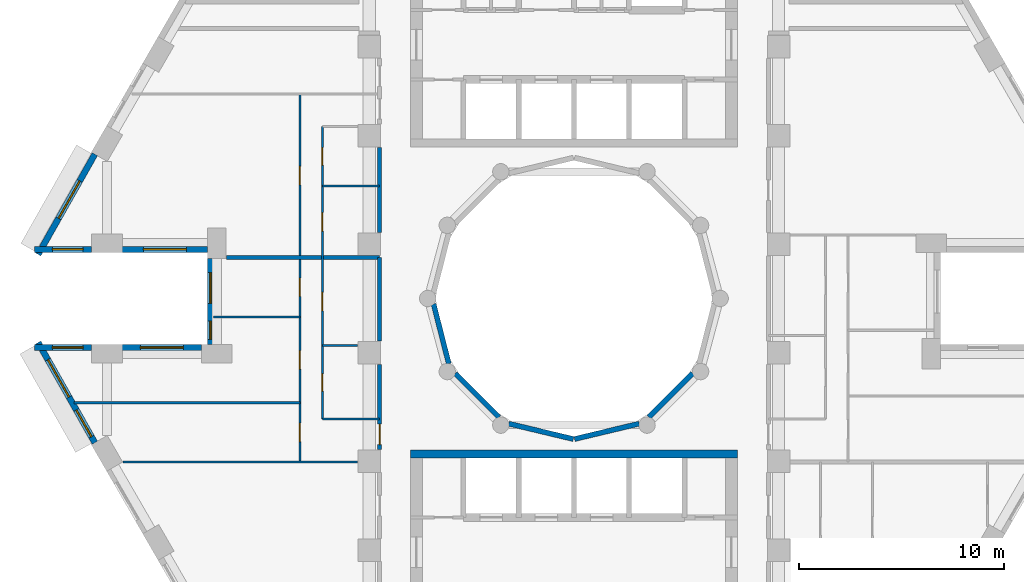
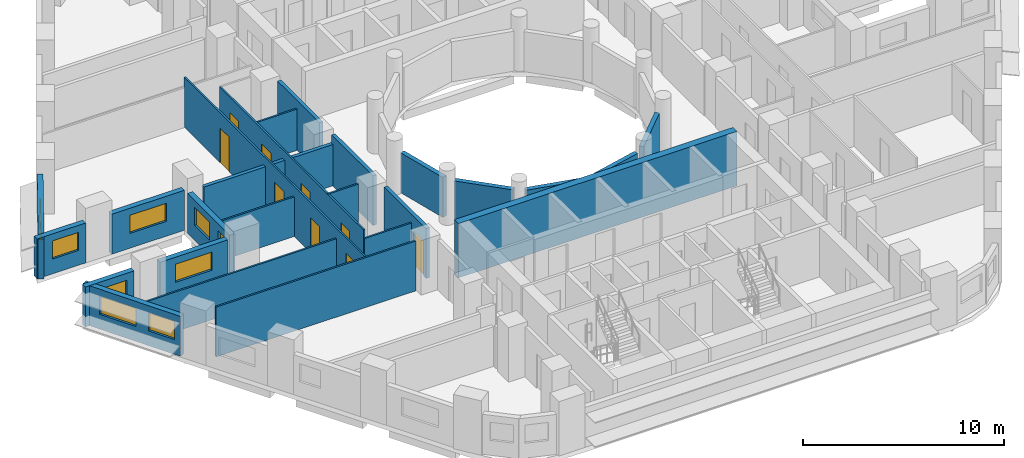
# One storey, part 4 of 12: 25 walls, 9 doors, 9 windows, 18 openings.
"""IFC4 building model written with IfcOpenShell, lengths in metres."""

from ifc_helpers import new_model, si_unit, direction, frame, frame_2d, origin, place, context, subcontext, project, spatial, rectangle, extrude, material, layer, layer_set, type_object, element, fill, save


model = new_model("IFC4")

# Units and contexts
model_context = context("Model", 3, precision=1e-05, world=origin(), true_north=direction((0.0, 1.0)))
body_context = subcontext(model_context, "Body", "Model", "MODEL_VIEW")
ifc_project = project(units=[si_unit("LENGTHUNIT", "METRE"), si_unit("AREAUNIT", "SQUARE_METRE"), si_unit("VOLUMEUNIT", "CUBIC_METRE"), si_unit("PLANEANGLEUNIT", "RADIAN"), si_unit("MASSUNIT", "GRAM", prefix="KILO")], contexts=[model_context])

# Site, building, storey
site_placement = place(None, origin())
site = spatial("IfcSite", under=ifc_project, at=site_placement, CompositionType="ELEMENT")
building_placement = place(site_placement, origin())
building = spatial("IfcBuilding", under=site, at=building_placement, Name="Nakaniwa Court", CompositionType="ELEMENT")
storey_placement = place(building_placement, frame((0.0, 0.0, 57.89990234375)))
storey = spatial("IfcBuildingStorey", under=building, at=storey_placement, Name="L15", CompositionType="ELEMENT", Elevation=57.89990234375)

# Wall, opening, door
ifc_material_1 = material(Name="Acoustic double stud partition")
ifc_layer_1 = layer(ifc_material_1, 0.199951171875)
ifc_layer_set_1 = layer_set([ifc_layer_1], Name="Acoustic double stud partition")
wall_type_1 = type_object("IfcWallType", Name="Acoustic double stud partition 200", PredefinedType="PARTITIONING", material=ifc_layer_set_1)
wall_1_placement = place(storey_placement, frame((70.5, 72.616943359375, 0.0), z_axis=(0.0, 0.0, 1.0), x_axis=(0.0, 1.0, 0.0)))
wall_1 = element("IfcWall", 1, at=wall_1_placement, inside=storey, type_object=wall_type_1, Name="Partition PW-104", PredefinedType="PARTITIONING", context=body_context, shape_type="SweptSolid", body=[
    extrude(rectangle(XDim=4.166015625, YDim=0.199951171875, at=frame_2d((2.0830078125, 0.0))), origin(), (0.0, 0.0, 1.0), 3.025146484375),
])
opening_1_placement = place(wall_1_placement, frame((0.242919921875, 0.0, 0.0)))
opening_1 = element("IfcOpeningElement", 2, at=opening_1_placement, cuts=wall_1, Name="Opening D-01-03", PredefinedType="OPENING", context=body_context, shape_type="SweptSolid", body=[
    extrude(rectangle(XDim=1.0, YDim=2.10009765625, at=frame_2d((0.5, 1.050048828125))), frame((0.0, 0.10986328125, 0.0), z_axis=(0.0, -1.0, 0.0), x_axis=(1.0, 0.0, 0.0)), (0.0, 0.0, 1.0), 0.219970703125),
])
ifc_material_2 = material(Name="Solid core timber door set, black veneer", Category="wood")
door_type_1 = type_object("IfcDoorType", Name="Flat entrance door 1000", OperationType="NOTDEFINED", PredefinedType="DOOR", material=ifc_material_2)
door_1_placement = place(opening_1_placement, origin())
door_1 = element("IfcDoor", 3, at=door_1_placement, inside=storey, type_object=door_type_1, Name="Door D-01-03 L15-042", OperationType="SINGLE_SWING_LEFT", OverallHeight=2.10009765625, OverallWidth=1.0, PredefinedType="DOOR", context=body_context, shape_type="SweptSolid", body=[
    extrude(rectangle(XDim=1.0, YDim=2.10009765625, at=frame_2d((0.5, 1.050048828125))), frame((0.0, 0.02490234375, 0.0), z_axis=(0.0, -1.0, 0.0), x_axis=(1.0, 0.0, 0.0)), (0.0, 0.0, 1.0), 0.050048828125),
])
fill(opening_1, door_1)

# Walls
wall_2_placement = place(storey_placement, frame((70.5, 77.9169921875, 0.0), z_axis=(0.0, 0.0, 1.0), x_axis=(0.0, 1.0, 0.0)))
element("IfcWall", 4, at=wall_2_placement, inside=storey, type_object=wall_type_1, Name="Partition PW-105", PredefinedType="PARTITIONING", context=body_context, shape_type="SweptSolid", body=[
    extrude(rectangle(XDim=4.0859375, YDim=0.199951171875, at=frame_2d((2.04296875, 0.0))), origin(), (0.0, 0.0, 1.0), 3.025146484375),
])
wall_3_placement = place(storey_placement, frame((70.5, 83.217041015625, 0.0), z_axis=(0.0, 0.0, 1.0), x_axis=(0.0, 1.0, 0.0)))
element("IfcWall", 5, at=wall_3_placement, inside=storey, type_object=wall_type_1, Name="Partition PW-106", PredefinedType="PARTITIONING", context=body_context, shape_type="SweptSolid", body=[
    extrude(rectangle(XDim=4.166015625, YDim=0.199951171875, at=frame_2d((2.0830078125, 0.0))), origin(), (0.0, 0.0, 1.0), 3.025146484375),
])
wall_4_placement = place(storey_placement, frame((63.01171875, 82.0, 0.0), z_axis=(0.0, 0.0, 1.0), x_axis=(1.0, 0.0, 0.0)))
element("IfcWall", 6, at=wall_4_placement, inside=storey, type_object=wall_type_1, Name="Partition PW-126", PredefinedType="PARTITIONING", context=body_context, shape_type="SweptSolid", body=[
    extrude(rectangle(XDim=7.48828125, YDim=0.199951171875, at=frame_2d((3.744140625, 0.0))), origin(), (0.0, 0.0, 1.0), 2.505126953125),
])

# Wall, opening, window
ifc_material_3 = material(Name="Charcoal ceramic cladding")
ifc_layer_2 = layer(ifc_material_3, 0.02, Name="Ceramic cladding")
ifc_material_4 = material(Name="Ventilated air cavity")
ifc_layer_3 = layer(ifc_material_4, 0.04, ventilated=True, Name="Ventilated cavity")
ifc_material_5 = material(Name="Mineral wool insulation")
ifc_layer_4 = layer(ifc_material_5, 0.1, Name="Insulation")
ifc_material_6 = material(Name="Cement bonded sheathing board")
ifc_layer_5 = layer(ifc_material_6, 0.012, Name="Sheathing")
ifc_material_7 = material(Name="Cold-formed galvanised stud frame with mineral wool infill")
ifc_layer_6 = layer(ifc_material_7, 0.1, Name="Stud frame")
ifc_material_8 = material(Name="Fire-rated gypsum plasterboard lining")
ifc_layer_7 = layer(ifc_material_8, 0.028, Name="Lining")
ifc_layer_set_2 = layer_set([ifc_layer_2, ifc_layer_3, ifc_layer_4, ifc_layer_5, ifc_layer_6, ifc_layer_7], Name="Charcoal ceramic faced external wall system")
wall_type_2 = type_object("IfcWallType", Name="Black ceramic faced external wall 300", PredefinedType="SOLIDWALL", material=ifc_layer_set_2)
wall_5_placement = place(storey_placement, frame((56.584228515625, 87.050537109375, 0.0), z_axis=(0.0, 0.0, 1.0), x_axis=(-0.492363204642, -0.870389840655, 0.0)))
wall_5 = element("IfcWall", 7, at=wall_5_placement, inside=storey, type_object=wall_type_2, Name="L15 external wall 14", PredefinedType="SOLIDWALL", context=body_context, shape_type="SweptSolid", body=[
    extrude(rectangle(XDim=5.62646484375, YDim=0.300048828125, at=frame_2d((2.813232421875, 0.0))), origin(), (0.0, 0.0, 1.0), 2.425048828125),
])
opening_2_placement = place(wall_5_placement, frame((1.5, 0.0, 0.89990234375)))
opening_2 = element("IfcOpeningElement", 8, at=opening_2_placement, cuts=wall_5, Name="Opening W7.13", PredefinedType="OPENING", context=body_context, shape_type="SweptSolid", body=[
    extrude(rectangle(XDim=2.10009765625, YDim=1.10009765625, at=frame_2d((1.050048828125, 0.550048828125))), frame((0.0, 0.159912109375, 0.0), z_axis=(0.0, -1.0, 0.0), x_axis=(1.0, 0.0, 0.0)), (0.0, 0.0, 1.0), 0.320068359375),
])
ifc_material_9 = material(Name="Black anodised aluminium frame with dark low-E laminated double glazing", Category="aluminium")
window_type_1 = type_object("IfcWindowType", Name="Dark glass window 2100x1100 sill 900", PartitioningType="SINGLE_PANEL", PredefinedType="WINDOW", material=ifc_material_9)
window_1_placement = place(opening_2_placement, origin())
window_1 = element("IfcWindow", 9, at=window_1_placement, inside=storey, type_object=window_type_1, Name="L15 living window 14-0", OverallHeight=1.10009765625, OverallWidth=2.10009765625, PartitioningType="SINGLE_PANEL", PredefinedType="WINDOW", context=body_context, shape_type="SweptSolid", body=[
    extrude(rectangle(XDim=2.10009765625, YDim=1.10009765625, at=frame_2d((1.050048828125, 0.550048828125))), frame((0.0, 0.030029296875, 0.0), z_axis=(0.0, -1.0, 0.0), x_axis=(1.0, 0.0, 0.0)), (0.0, 0.0, 1.0), 0.06005859375),
])
fill(opening_2, window_1)

wall_6_placement = place(storey_placement, frame((53.643310546875, 82.39990234375, 0.0), z_axis=(0.0, 0.0, 1.0), x_axis=(1.0, 0.0, 0.0)))
wall_6 = element("IfcWall", 10, at=wall_6_placement, inside=storey, type_object=wall_type_2, Name="L15 external wall 15", PredefinedType="SOLIDWALL", context=body_context, shape_type="SweptSolid", body=[
    extrude(rectangle(XDim=2.787841796875, YDim=0.300048828125, at=frame_2d((1.39404296875, 0.0))), origin(), (0.0, 0.0, 1.0), 2.425048828125),
])
opening_3_placement = place(wall_6_placement, frame((0.868896484375, 0.0, 0.89990234375)))
opening_3 = element("IfcOpeningElement", 11, at=opening_3_placement, cuts=wall_6, Name="Opening W5.14", PredefinedType="OPENING", context=body_context, shape_type="SweptSolid", body=[
    extrude(rectangle(XDim=1.5, YDim=1.10009765625, at=frame_2d((0.75, 0.550048828125))), frame((0.0, 0.159912109375, 0.0), z_axis=(0.0, -1.0, 0.0), x_axis=(1.0, 0.0, 0.0)), (0.0, 0.0, 1.0), 0.320068359375),
])
window_type_2 = type_object("IfcWindowType", Name="Dark glass window 1500x1100 sill 900", PartitioningType="SINGLE_PANEL", PredefinedType="WINDOW", material=ifc_material_9)
window_2_placement = place(opening_3_placement, origin())
window_2 = element("IfcWindow", 12, at=window_2_placement, inside=storey, type_object=window_type_2, Name="L15 living window 15-0", OverallHeight=1.10009765625, OverallWidth=1.5, PartitioningType="SINGLE_PANEL", PredefinedType="WINDOW", context=body_context, shape_type="SweptSolid", body=[
    extrude(rectangle(XDim=1.5, YDim=1.10009765625, at=frame_2d((0.75, 0.550048828125))), frame((0.0, 0.030029296875, 0.0), z_axis=(0.0, -1.0, 0.0), x_axis=(1.0, 0.0, 0.0)), (0.0, 0.0, 1.0), 0.06005859375),
])
fill(opening_3, window_2)

wall_7_placement = place(storey_placement, frame((57.923095703125, 82.39990234375, 0.0), z_axis=(0.0, 0.0, 1.0), x_axis=(1.0, 0.0, 0.0)))
wall_7 = element("IfcWall", 13, at=wall_7_placement, inside=storey, type_object=wall_type_2, Name="L15 external wall 16", PredefinedType="SOLIDWALL", context=body_context, shape_type="SweptSolid", body=[
    extrude(rectangle(XDim=4.172607421875, YDim=0.300048828125, at=frame_2d((2.08642578125, 0.0))), origin(), (0.0, 0.0, 1.0), 2.425048828125),
])
opening_4_placement = place(wall_7_placement, frame((1.036376953125, 0.0, 0.89990234375)))
opening_4 = element("IfcOpeningElement", 14, at=opening_4_placement, cuts=wall_7, Name="Opening W7.15", PredefinedType="OPENING", context=body_context, shape_type="SweptSolid", body=[
    extrude(rectangle(XDim=2.10009765625, YDim=1.10009765625, at=frame_2d((1.050048828125, 0.550048828125))), frame((0.0, 0.159912109375, 0.0), z_axis=(0.0, -1.0, 0.0), x_axis=(1.0, 0.0, 0.0)), (0.0, 0.0, 1.0), 0.320068359375),
])
window_3_placement = place(opening_4_placement, origin())
window_3 = element("IfcWindow", 15, at=window_3_placement, inside=storey, type_object=window_type_1, Name="L15 living window 16-0", OverallHeight=1.10009765625, OverallWidth=2.10009765625, PartitioningType="SINGLE_PANEL", PredefinedType="WINDOW", context=body_context, shape_type="SweptSolid", body=[
    extrude(rectangle(XDim=2.10009765625, YDim=1.10009765625, at=frame_2d((1.050048828125, 0.550048828125))), frame((0.0, 0.030029296875, 0.0), z_axis=(0.0, -1.0, 0.0), x_axis=(1.0, 0.0, 0.0)), (0.0, 0.0, 1.0), 0.06005859375),
])
fill(opening_4, window_3)

# Wall, openings, windows
wall_8_placement = place(storey_placement, frame((62.24169921875, 81.9541015625, 0.0), z_axis=(0.0, 0.0, 1.0), x_axis=(0.0, -1.0, 0.0)))
wall_8 = element("IfcWall", 16, at=wall_8_placement, inside=storey, type_object=wall_type_2, Name="L15 external wall 17", PredefinedType="SOLIDWALL", context=body_context, shape_type="SweptSolid", body=[
    extrude(rectangle(XDim=4.2080078125, YDim=0.300048828125, at=frame_2d((2.10400390625, 0.0))), origin(), (0.0, 0.0, 1.0), 2.425048828125),
])
opening_5_placement = place(wall_8_placement, frame((0.690673828125, 0.0, 0.89990234375)))
opening_5 = element("IfcOpeningElement", 17, at=opening_5_placement, cuts=wall_8, Name="Opening W5.16", PredefinedType="OPENING", context=body_context, shape_type="SweptSolid", body=[
    extrude(rectangle(XDim=1.5, YDim=1.10009765625, at=frame_2d((0.75, 0.550048828125))), frame((0.0, 0.159912109375, 0.0), z_axis=(0.0, -1.0, 0.0), x_axis=(1.0, 0.0, 0.0)), (0.0, 0.0, 1.0), 0.320068359375),
])
opening_6_placement = place(wall_8_placement, frame((3.0576171875, 0.0, 0.89990234375)))
opening_6 = element("IfcOpeningElement", 18, at=opening_6_placement, cuts=wall_8, Name="Opening W9.17", PredefinedType="OPENING", context=body_context, shape_type="SweptSolid", body=[
    extrude(rectangle(XDim=0.89990234375, YDim=1.10009765625, at=frame_2d((0.449951171875, 0.550048828125))), frame((0.0, 0.159912109375, 0.0), z_axis=(0.0, -1.0, 0.0), x_axis=(1.0, 0.0, 0.0)), (0.0, 0.0, 1.0), 0.320068359375),
])
window_4_placement = place(opening_5_placement, origin())
window_4 = element("IfcWindow", 19, at=window_4_placement, inside=storey, type_object=window_type_2, Name="L15 bedroom window 17-0", OverallHeight=1.10009765625, OverallWidth=1.5, PartitioningType="SINGLE_PANEL", PredefinedType="WINDOW", context=body_context, shape_type="SweptSolid", body=[
    extrude(rectangle(XDim=1.5, YDim=1.10009765625, at=frame_2d((0.75, 0.550048828125))), frame((0.0, 0.030029296875, 0.0), z_axis=(0.0, -1.0, 0.0), x_axis=(1.0, 0.0, 0.0)), (0.0, 0.0, 1.0), 0.06005859375),
])
fill(opening_5, window_4)
window_type_3 = type_object("IfcWindowType", Name="Dark glass window 900x1100 sill 900", PartitioningType="SINGLE_PANEL", PredefinedType="WINDOW", material=ifc_material_9)
window_5_placement = place(opening_6_placement, origin())
window_5 = element("IfcWindow", 20, at=window_5_placement, inside=storey, type_object=window_type_3, Name="L15 living window 17-1", OverallHeight=1.10009765625, OverallWidth=0.89990234375, PartitioningType="SINGLE_PANEL", PredefinedType="WINDOW", context=body_context, shape_type="SweptSolid", body=[
    extrude(rectangle(XDim=0.89990234375, YDim=1.10009765625, at=frame_2d((0.449951171875, 0.550048828125))), frame((0.0, 0.030029296875, 0.0), z_axis=(0.0, -1.0, 0.0), x_axis=(1.0, 0.0, 0.0)), (0.0, 0.0, 1.0), 0.06005859375),
])
fill(opening_6, window_5)

# Wall, opening, window
wall_9_placement = place(storey_placement, frame((61.795654296875, 77.60009765625, 0.0), z_axis=(0.0, 0.0, 1.0), x_axis=(-1.0, 0.0, 0.0)))
wall_9 = element("IfcWall", 21, at=wall_9_placement, inside=storey, type_object=wall_type_2, Name="L15 external wall 18", PredefinedType="SOLIDWALL", context=body_context, shape_type="SweptSolid", body=[
    extrude(rectangle(XDim=3.87255859375, YDim=0.300048828125, at=frame_2d((1.936279296875, 0.0))), origin(), (0.0, 0.0, 1.0), 2.425048828125),
])
opening_7_placement = place(wall_9_placement, frame((0.88623046875, 0.0, 0.89990234375)))
opening_7 = element("IfcOpeningElement", 22, at=opening_7_placement, cuts=wall_9, Name="Opening W7.18", PredefinedType="OPENING", context=body_context, shape_type="SweptSolid", body=[
    extrude(rectangle(XDim=2.10009765625, YDim=1.10009765625, at=frame_2d((1.050048828125, 0.550048828125))), frame((0.0, 0.159912109375, 0.0), z_axis=(0.0, -1.0, 0.0), x_axis=(1.0, 0.0, 0.0)), (0.0, 0.0, 1.0), 0.320068359375),
])
window_6_placement = place(opening_7_placement, origin())
window_6 = element("IfcWindow", 23, at=window_6_placement, inside=storey, type_object=window_type_1, Name="L15 living window 18-0", OverallHeight=1.10009765625, OverallWidth=2.10009765625, PartitioningType="SINGLE_PANEL", PredefinedType="WINDOW", context=body_context, shape_type="SweptSolid", body=[
    extrude(rectangle(XDim=2.10009765625, YDim=1.10009765625, at=frame_2d((1.050048828125, 0.550048828125))), frame((0.0, 0.030029296875, 0.0), z_axis=(0.0, -1.0, 0.0), x_axis=(1.0, 0.0, 0.0)), (0.0, 0.0, 1.0), 0.06005859375),
])
fill(opening_7, window_6)

wall_10_placement = place(storey_placement, frame((56.43115234375, 77.60009765625, 0.0), z_axis=(0.0, 0.0, 1.0), x_axis=(-1.0, 0.0, 0.0)))
wall_10 = element("IfcWall", 24, at=wall_10_placement, inside=storey, type_object=wall_type_2, Name="L15 external wall 19", PredefinedType="SOLIDWALL", context=body_context, shape_type="SweptSolid", body=[
    extrude(rectangle(XDim=2.787841796875, YDim=0.300048828125, at=frame_2d((1.39404296875, 0.0))), origin(), (0.0, 0.0, 1.0), 2.425048828125),
])
opening_8_placement = place(wall_10_placement, frame((0.4189453125, 0.0, 0.89990234375)))
opening_8 = element("IfcOpeningElement", 25, at=opening_8_placement, cuts=wall_10, Name="Opening W5.19", PredefinedType="OPENING", context=body_context, shape_type="SweptSolid", body=[
    extrude(rectangle(XDim=1.5, YDim=1.10009765625, at=frame_2d((0.75, 0.550048828125))), frame((0.0, 0.159912109375, 0.0), z_axis=(0.0, -1.0, 0.0), x_axis=(1.0, 0.0, 0.0)), (0.0, 0.0, 1.0), 0.320068359375),
])
window_7_placement = place(opening_8_placement, origin())
window_7 = element("IfcWindow", 26, at=window_7_placement, inside=storey, type_object=window_type_2, Name="L15 living window 19-0", OverallHeight=1.10009765625, OverallWidth=1.5, PartitioningType="SINGLE_PANEL", PredefinedType="WINDOW", context=body_context, shape_type="SweptSolid", body=[
    extrude(rectangle(XDim=1.5, YDim=1.10009765625, at=frame_2d((0.75, 0.550048828125))), frame((0.0, 0.030029296875, 0.0), z_axis=(0.0, -1.0, 0.0), x_axis=(1.0, 0.0, 0.0)), (0.0, 0.0, 1.0), 0.06005859375),
])
fill(opening_8, window_7)

# Wall, openings, windows
wall_11_placement = place(storey_placement, frame((53.81396484375, 77.8466796875, 0.0), z_axis=(0.0, 0.0, 1.0), x_axis=(0.492363204642, -0.870389840655, 0.0)))
wall_11 = element("IfcWall", 27, at=wall_11_placement, inside=storey, type_object=wall_type_2, Name="L15 external wall 20", PredefinedType="SOLIDWALL", context=body_context, shape_type="SweptSolid", body=[
    extrude(rectangle(XDim=5.62646484375, YDim=0.300048828125, at=frame_2d((2.813232421875, 0.0))), origin(), (0.0, 0.0, 1.0), 2.425048828125),
])
opening_9_placement = place(wall_11_placement, frame((0.96484375, 0.0, 0.89990234375)))
opening_9 = element("IfcOpeningElement", 28, at=opening_9_placement, cuts=wall_11, Name="Opening W7.20", PredefinedType="OPENING", context=body_context, shape_type="SweptSolid", body=[
    extrude(rectangle(XDim=2.10009765625, YDim=1.10009765625, at=frame_2d((1.050048828125, 0.550048828125))), frame((0.0, 0.159912109375, 0.0), z_axis=(0.0, -1.0, 0.0), x_axis=(1.0, 0.0, 0.0)), (0.0, 0.0, 1.0), 0.320068359375),
])
opening_10_placement = place(wall_11_placement, frame((3.789306640625, 0.0, 0.89990234375)))
opening_10 = element("IfcOpeningElement", 29, at=opening_10_placement, cuts=wall_11, Name="Opening W5.21", PredefinedType="OPENING", context=body_context, shape_type="SweptSolid", body=[
    extrude(rectangle(XDim=1.5, YDim=1.10009765625, at=frame_2d((0.75, 0.550048828125))), frame((0.0, 0.159912109375, 0.0), z_axis=(0.0, -1.0, 0.0), x_axis=(1.0, 0.0, 0.0)), (0.0, 0.0, 1.0), 0.320068359375),
])
window_8_placement = place(opening_10_placement, origin())
window_8 = element("IfcWindow", 30, at=window_8_placement, inside=storey, type_object=window_type_2, Name="L15 bedroom window 20-1", OverallHeight=1.10009765625, OverallWidth=1.5, PartitioningType="SINGLE_PANEL", PredefinedType="WINDOW", context=body_context, shape_type="SweptSolid", body=[
    extrude(rectangle(XDim=1.5, YDim=1.10009765625, at=frame_2d((0.75, 0.550048828125))), frame((0.0, 0.030029296875, 0.0), z_axis=(0.0, -1.0, 0.0), x_axis=(1.0, 0.0, 0.0)), (0.0, 0.0, 1.0), 0.06005859375),
])
fill(opening_10, window_8)
window_9_placement = place(opening_9_placement, origin())
window_9 = element("IfcWindow", 31, at=window_9_placement, inside=storey, type_object=window_type_1, Name="L15 living window 20-0", OverallHeight=1.10009765625, OverallWidth=2.10009765625, PartitioningType="SINGLE_PANEL", PredefinedType="WINDOW", context=body_context, shape_type="SweptSolid", body=[
    extrude(rectangle(XDim=2.10009765625, YDim=1.10009765625, at=frame_2d((1.050048828125, 0.550048828125))), frame((0.0, 0.030029296875, 0.0), z_axis=(0.0, -1.0, 0.0), x_axis=(1.0, 0.0, 0.0)), (0.0, 0.0, 1.0), 0.06005859375),
])
fill(opening_9, window_9)

# Walls
ifc_layer_8 = layer(ifc_material_3, 0.02, Name="Ceramic cladding")
ifc_layer_9 = layer(ifc_material_4, 0.04, ventilated=True, Name="Ventilated cavity")
ifc_layer_10 = layer(ifc_material_5, 0.075, Name="Insulation")
ifc_layer_11 = layer(ifc_material_6, 0.012, Name="Sheathing")
ifc_layer_12 = layer(ifc_material_7, 0.075, Name="Stud frame")
ifc_layer_13 = layer(ifc_material_8, 0.028, Name="Lining")
ifc_layer_set_3 = layer_set([ifc_layer_8, ifc_layer_9, ifc_layer_10, ifc_layer_11, ifc_layer_12, ifc_layer_13], Name="Charcoal ceramic faced external wall system")
wall_type_3 = type_object("IfcWallType", Name="Charcoal ceramic faced well wall 250", PredefinedType="SOLIDWALL", material=ifc_layer_set_3)
wall_12_placement = place(storey_placement, frame((85.8056640625, 76.339111328125, 0.0), z_axis=(0.0, 0.0, 1.0), x_axis=(-0.707106781187, -0.707106781187, 0.0)))
element("IfcWall", 32, at=wall_12_placement, inside=storey, type_object=wall_type_3, Name="L15 external wall 37", PredefinedType="SOLIDWALL", context=body_context, shape_type="SweptSolid", body=[
    extrude(rectangle(XDim=3.033203125, YDim=0.25, at=frame_2d((1.5166015625, 0.0))), origin(), (0.0, 0.0, 1.0), 2.425048828125),
])
for number, where, z_axis, x_axis, name in (
    (33, (83.186279296875, 73.880615234375, 0.0), (0.0, 0.0, 1.0), (-0.972773113459, -0.231759508395, 0.0), "L15 external wall 38"),
    (34, (79.970947265625, 73.12841796875, 0.0), (0.0, 0.0, 1.0), (-0.972773113459, 0.231759508395, 0.0), "L15 external wall 39"),
):
    element("IfcWall", number, at=place(storey_placement, frame(where, z_axis=z_axis, x_axis=x_axis)), inside=storey, type_object=wall_type_3, Name=name, PredefinedType="SOLIDWALL", context=body_context, shape_type="SweptSolid", body=[
        extrude(rectangle(XDim=3.24560546875, YDim=0.25, at=frame_2d((1.622802734375, 0.0))), origin(), (0.0, 0.0, 1.0), 2.425048828125),
    ])
wall_13_placement = place(storey_placement, frame((76.339111328125, 74.1943359375, 0.0), z_axis=(0.0, 0.0, 1.0), x_axis=(-0.707106781187, 0.707106781187, 0.0)))
element("IfcWall", 35, at=wall_13_placement, inside=storey, type_object=wall_type_3, Name="L15 external wall 40", PredefinedType="SOLIDWALL", context=body_context, shape_type="SweptSolid", body=[
    extrude(rectangle(XDim=3.033203125, YDim=0.25, at=frame_2d((1.5166015625, 0.0))), origin(), (0.0, 0.0, 1.0), 2.425048828125),
])
wall_14_placement = place(storey_placement, frame((73.88330078125, 76.813232421875, 0.0), z_axis=(0.0, 0.0, 1.0), x_axis=(-0.247055971283, 0.969001211069, 0.0)))
element("IfcWall", 36, at=wall_14_placement, inside=storey, type_object=wall_type_3, Name="L15 external wall 41", PredefinedType="SOLIDWALL", context=body_context, shape_type="SweptSolid", body=[
    extrude(rectangle(XDim=3.010009765625, YDim=0.25, at=frame_2d((1.5048828125, 0.0))), origin(), (0.0, 0.0, 1.0), 2.425048828125),
])
ifc_material_10 = material(Name="Concrete C100/115", Category="concrete")
ifc_layer_14 = layer(ifc_material_10, 0.39990234375)
ifc_layer_set_4 = layer_set([ifc_layer_14], Name="Concrete C100/115")
wall_type_4 = type_object("IfcWallType", Name="Concrete core well wall 400 C100", PredefinedType="SHEAR", material=ifc_layer_set_4)
wall_15_placement = place(storey_placement, frame((72.00390625, 72.39990234375, -0.27490234375), z_axis=(0.0, 0.0, 1.0), x_axis=(1.0, 0.0, 0.0)))
element("IfcWall", 37, at=wall_15_placement, inside=storey, type_object=wall_type_4, Name="Core wall SW-135", PredefinedType="SHEAR", context=body_context, shape_type="SweptSolid", body=[
    extrude(rectangle(XDim=15.9921875, YDim=0.39990234375, at=frame_2d((7.99609375, 0.0))), origin(), (0.0, 0.0, 1.0), 3.300048828125),
])
ifc_material_11 = material(Name="Single stud plasterboard partition")
ifc_layer_15 = layer(ifc_material_11, 0.10009765625)
ifc_layer_set_5 = layer_set([ifc_layer_15], Name="Single stud plasterboard partition")
wall_type_5 = type_object("IfcWallType", Name="Single stud plasterboard partition 100", PredefinedType="PARTITIONING", material=ifc_layer_set_5)
wall_16_placement = place(storey_placement, frame((67.699951171875, 74.10009765625, 0.0), z_axis=(0.0, 0.0, 1.0), x_axis=(1.0, 0.0, 0.0)))
element("IfcWall", 38, at=wall_16_placement, inside=storey, type_object=wall_type_5, Name="Partition PW-116", PredefinedType="PARTITIONING", context=body_context, shape_type="SweptSolid", body=[
    extrude(rectangle(XDim=2.800048828125, YDim=0.10009765625, at=frame_2d((1.39990234375, 0.0))), origin(), (0.0, 0.0, 1.0), 2.505126953125),
])
wall_17_placement = place(storey_placement, frame((57.96826171875, 72.0, 0.0), z_axis=(0.0, 0.0, 1.0), x_axis=(1.0, 0.0, 0.0)))
element("IfcWall", 39, at=wall_17_placement, inside=storey, type_object=wall_type_5, Name="Partition PW-123", PredefinedType="PARTITIONING", context=body_context, shape_type="SweptSolid", body=[
    extrude(rectangle(XDim=11.461669921875, YDim=0.10009765625, at=frame_2d((5.73095703125, 0.0))), origin(), (0.0, 0.0, 1.0), 3.025146484375),
])
wall_18_placement = place(storey_placement, frame((67.699951171875, 77.69091796875, 0.0), z_axis=(0.0, 0.0, 1.0), x_axis=(1.0, 0.0, 0.0)))
element("IfcWall", 40, at=wall_18_placement, inside=storey, type_object=wall_type_5, Name="Partition PW-124", PredefinedType="PARTITIONING", context=body_context, shape_type="SweptSolid", body=[
    extrude(rectangle(XDim=1.72998046875, YDim=0.10009765625, at=frame_2d((0.864990234375, 0.0))), origin(), (0.0, 0.0, 1.0), 3.025146484375),
])

# Wall, openings, doors
wall_19_placement = place(storey_placement, frame((67.699951171875, 88.39990234375, 0.0), z_axis=(0.0, 0.0, 1.0), x_axis=(0.0, -1.0, 0.0)))
wall_19 = element("IfcWall", 41, at=wall_19_placement, inside=storey, type_object=wall_type_5, Name="Partition PW-125", PredefinedType="PARTITIONING", context=body_context, shape_type="SweptSolid", body=[
    extrude(rectangle(XDim=14.2998046875, YDim=0.10009765625, at=frame_2d((7.14990234375, 0.0))), origin(), (0.0, 0.0, 1.0), 3.025146484375),
])
opening_11_placement = place(wall_19_placement, frame((12.080078125, 0.0, 0.0)))
opening_11 = element("IfcOpeningElement", 42, at=opening_11_placement, cuts=wall_19, Name="Opening D-03-03", PredefinedType="OPENING", context=body_context, shape_type="SweptSolid", body=[
    extrude(rectangle(XDim=0.85009765625, YDim=2.10009765625, at=frame_2d((0.425048828125, 1.050048828125))), frame((0.0, 0.06005859375, 0.0), z_axis=(0.0, -1.0, 0.0), x_axis=(1.0, 0.0, 0.0)), (0.0, 0.0, 1.0), 0.1201171875),
])
opening_12_placement = place(wall_19_placement, frame((8.10498046875, 0.0, 0.0)))
opening_12 = element("IfcOpeningElement", 43, at=opening_12_placement, cuts=wall_19, Name="Opening D-33-07", PredefinedType="OPENING", context=body_context, shape_type="SweptSolid", body=[
    extrude(rectangle(XDim=0.89990234375, YDim=2.10009765625, at=frame_2d((0.449951171875, 1.050048828125))), frame((0.0, 0.06005859375, 0.0), z_axis=(0.0, -1.0, 0.0), x_axis=(1.0, 0.0, 0.0)), (0.0, 0.0, 1.0), 0.1201171875),
])
opening_13_placement = place(wall_19_placement, frame((4.205078125, 0.0, 0.0)))
opening_13 = element("IfcOpeningElement", 44, at=opening_13_placement, cuts=wall_19, Name="Opening D-33-11", PredefinedType="OPENING", context=body_context, shape_type="SweptSolid", body=[
    extrude(rectangle(XDim=0.89990234375, YDim=2.10009765625, at=frame_2d((0.449951171875, 1.050048828125))), frame((0.0, 0.06005859375, 0.0), z_axis=(0.0, -1.0, 0.0), x_axis=(1.0, 0.0, 0.0)), (0.0, 0.0, 1.0), 0.1201171875),
])
opening_14_placement = place(wall_19_placement, frame((1.030029296875, 0.0, 0.0)))
opening_14 = element("IfcOpeningElement", 45, at=opening_14_placement, cuts=wall_19, Name="Opening D-03-04", PredefinedType="OPENING", context=body_context, shape_type="SweptSolid", body=[
    extrude(rectangle(XDim=0.85009765625, YDim=2.10009765625, at=frame_2d((0.425048828125, 1.050048828125))), frame((0.0, 0.06005859375, 0.0), z_axis=(0.0, -1.0, 0.0), x_axis=(1.0, 0.0, 0.0)), (0.0, 0.0, 1.0), 0.1201171875),
])
ifc_material_12 = material(Name="Moisture sealed timber door set", Category="wood")
door_type_2 = type_object("IfcDoorType", Name="Bathroom door 850", OperationType="NOTDEFINED", PredefinedType="DOOR", material=ifc_material_12)
door_2_placement = place(opening_11_placement, origin())
door_2 = element("IfcDoor", 46, at=door_2_placement, inside=storey, type_object=door_type_2, Name="Door D-03-03 L15-043", OperationType="SINGLE_SWING_RIGHT", OverallHeight=2.10009765625, OverallWidth=0.85009765625, PredefinedType="DOOR", context=body_context, shape_type="SweptSolid", body=[
    extrude(rectangle(XDim=0.85009765625, YDim=2.10009765625, at=frame_2d((0.425048828125, 1.050048828125))), frame((0.0, 0.02490234375, 0.0), z_axis=(0.0, -1.0, 0.0), x_axis=(1.0, 0.0, 0.0)), (0.0, 0.0, 1.0), 0.050048828125),
])
fill(opening_11, door_2)
door_3_placement = place(opening_14_placement, origin())
door_3 = element("IfcDoor", 47, at=door_3_placement, inside=storey, type_object=door_type_2, Name="Door D-03-04 L15-050", OperationType="SINGLE_SWING_LEFT", OverallHeight=2.10009765625, OverallWidth=0.85009765625, PredefinedType="DOOR", context=body_context, shape_type="SweptSolid", body=[
    extrude(rectangle(XDim=0.85009765625, YDim=2.10009765625, at=frame_2d((0.425048828125, 1.050048828125))), frame((0.0, 0.02490234375, 0.0), z_axis=(0.0, -1.0, 0.0), x_axis=(1.0, 0.0, 0.0)), (0.0, 0.0, 1.0), 0.050048828125),
])
fill(opening_14, door_3)
door_type_3 = type_object("IfcDoorType", Name="Internal door 900", OperationType="NOTDEFINED", PredefinedType="DOOR", material=ifc_material_2)
door_4_placement = place(opening_12_placement, origin())
door_4 = element("IfcDoor", 48, at=door_4_placement, inside=storey, type_object=door_type_3, Name="Door D-33-07 L15-044", OperationType="SINGLE_SWING_LEFT", OverallHeight=2.10009765625, OverallWidth=0.89990234375, PredefinedType="DOOR", context=body_context, shape_type="SweptSolid", body=[
    extrude(rectangle(XDim=0.89990234375, YDim=2.10009765625, at=frame_2d((0.449951171875, 1.050048828125))), frame((0.0, 0.02490234375, 0.0), z_axis=(0.0, -1.0, 0.0), x_axis=(1.0, 0.0, 0.0)), (0.0, 0.0, 1.0), 0.050048828125),
])
fill(opening_12, door_4)
door_5_placement = place(opening_13_placement, origin())
door_5 = element("IfcDoor", 49, at=door_5_placement, inside=storey, type_object=door_type_3, Name="Door D-33-11 L15-049", OperationType="SINGLE_SWING_RIGHT", OverallHeight=2.10009765625, OverallWidth=0.89990234375, PredefinedType="DOOR", context=body_context, shape_type="SweptSolid", body=[
    extrude(rectangle(XDim=0.89990234375, YDim=2.10009765625, at=frame_2d((0.449951171875, 1.050048828125))), frame((0.0, 0.02490234375, 0.0), z_axis=(0.0, -1.0, 0.0), x_axis=(1.0, 0.0, 0.0)), (0.0, 0.0, 1.0), 0.050048828125),
])
fill(opening_13, door_5)

wall_20_placement = place(storey_placement, frame((66.60009765625, 72.0, 0.0), z_axis=(0.0, 0.0, 1.0), x_axis=(0.0, 1.0, 0.0)))
wall_20 = element("IfcWall", 50, at=wall_20_placement, inside=storey, type_object=wall_type_5, Name="Partition PW-127", PredefinedType="PARTITIONING", context=body_context, shape_type="SweptSolid", body=[
    extrude(rectangle(XDim=18.0, YDim=0.10009765625, at=frame_2d((9.0, 0.0))), origin(), (0.0, 0.0, 1.0), 3.025146484375),
])
opening_15_placement = place(wall_20_placement, frame((1.001953125, 0.0, 0.0)))
opening_15 = element("IfcOpeningElement", 51, at=opening_15_placement, cuts=wall_20, Name="Opening D-33-08", PredefinedType="OPENING", context=body_context, shape_type="SweptSolid", body=[
    extrude(rectangle(XDim=0.89990234375, YDim=2.10009765625, at=frame_2d((0.449951171875, 1.050048828125))), frame((0.0, 0.06005859375, 0.0), z_axis=(0.0, -1.0, 0.0), x_axis=(1.0, 0.0, 0.0)), (0.0, 0.0, 1.0), 0.1201171875),
])
opening_16_placement = place(wall_20_placement, frame((4.550048828125, 0.0, 0.0)))
opening_16 = element("IfcOpeningElement", 52, at=opening_16_placement, cuts=wall_20, Name="Opening D-33-09", PredefinedType="OPENING", context=body_context, shape_type="SweptSolid", body=[
    extrude(rectangle(XDim=0.89990234375, YDim=2.10009765625, at=frame_2d((0.449951171875, 1.050048828125))), frame((0.0, 0.06005859375, 0.0), z_axis=(0.0, -1.0, 0.0), x_axis=(1.0, 0.0, 0.0)), (0.0, 0.0, 1.0), 0.1201171875),
])
opening_17_placement = place(wall_20_placement, frame((8.097900390625, 0.0, 0.0)))
opening_17 = element("IfcOpeningElement", 53, at=opening_17_placement, cuts=wall_20, Name="Opening D-33-10", PredefinedType="OPENING", context=body_context, shape_type="SweptSolid", body=[
    extrude(rectangle(XDim=0.89990234375, YDim=2.10009765625, at=frame_2d((0.449951171875, 1.050048828125))), frame((0.0, 0.06005859375, 0.0), z_axis=(0.0, -1.0, 0.0), x_axis=(1.0, 0.0, 0.0)), (0.0, 0.0, 1.0), 0.1201171875),
])
opening_18_placement = place(wall_20_placement, frame((13.550048828125, 0.0, 0.0)))
opening_18 = element("IfcOpeningElement", 54, at=opening_18_placement, cuts=wall_20, Name="Opening D-33-12", PredefinedType="OPENING", context=body_context, shape_type="SweptSolid", body=[
    extrude(rectangle(XDim=0.89990234375, YDim=2.10009765625, at=frame_2d((0.449951171875, 1.050048828125))), frame((0.0, 0.06005859375, 0.0), z_axis=(0.0, -1.0, 0.0), x_axis=(1.0, 0.0, 0.0)), (0.0, 0.0, 1.0), 0.1201171875),
])
door_6_placement = place(opening_15_placement, origin())
door_6 = element("IfcDoor", 55, at=door_6_placement, inside=storey, type_object=door_type_3, Name="Door D-33-08 L15-045", OperationType="SINGLE_SWING_RIGHT", OverallHeight=2.10009765625, OverallWidth=0.89990234375, PredefinedType="DOOR", context=body_context, shape_type="SweptSolid", body=[
    extrude(rectangle(XDim=0.89990234375, YDim=2.10009765625, at=frame_2d((0.449951171875, 1.050048828125))), frame((0.0, 0.02490234375, 0.0), z_axis=(0.0, -1.0, 0.0), x_axis=(1.0, 0.0, 0.0)), (0.0, 0.0, 1.0), 0.050048828125),
])
fill(opening_15, door_6)
door_7_placement = place(opening_16_placement, origin())
door_7 = element("IfcDoor", 56, at=door_7_placement, inside=storey, type_object=door_type_3, Name="Door D-33-09 L15-046", OperationType="SINGLE_SWING_LEFT", OverallHeight=2.10009765625, OverallWidth=0.89990234375, PredefinedType="DOOR", context=body_context, shape_type="SweptSolid", body=[
    extrude(rectangle(XDim=0.89990234375, YDim=2.10009765625, at=frame_2d((0.449951171875, 1.050048828125))), frame((0.0, 0.02490234375, 0.0), z_axis=(0.0, -1.0, 0.0), x_axis=(1.0, 0.0, 0.0)), (0.0, 0.0, 1.0), 0.050048828125),
])
fill(opening_16, door_7)
door_8_placement = place(opening_17_placement, origin())
door_8 = element("IfcDoor", 57, at=door_8_placement, inside=storey, type_object=door_type_3, Name="Door D-33-10 L15-047", OperationType="SINGLE_SWING_RIGHT", OverallHeight=2.10009765625, OverallWidth=0.89990234375, PredefinedType="DOOR", context=body_context, shape_type="SweptSolid", body=[
    extrude(rectangle(XDim=0.89990234375, YDim=2.10009765625, at=frame_2d((0.449951171875, 1.050048828125))), frame((0.0, 0.02490234375, 0.0), z_axis=(0.0, -1.0, 0.0), x_axis=(1.0, 0.0, 0.0)), (0.0, 0.0, 1.0), 0.050048828125),
])
fill(opening_17, door_8)
door_9_placement = place(opening_18_placement, origin())
door_9 = element("IfcDoor", 58, at=door_9_placement, inside=storey, type_object=door_type_3, Name="Door D-33-12 L15-051", OperationType="SINGLE_SWING_RIGHT", OverallHeight=2.10009765625, OverallWidth=0.89990234375, PredefinedType="DOOR", context=body_context, shape_type="SweptSolid", body=[
    extrude(rectangle(XDim=0.89990234375, YDim=2.10009765625, at=frame_2d((0.449951171875, 1.050048828125))), frame((0.0, 0.02490234375, 0.0), z_axis=(0.0, -1.0, 0.0), x_axis=(1.0, 0.0, 0.0)), (0.0, 0.0, 1.0), 0.050048828125),
])
fill(opening_18, door_9)

# Walls
wall_21_placement = place(storey_placement, frame((55.576171875, 74.903076171875, 0.0), z_axis=(0.0, 0.0, 1.0), x_axis=(1.0, 0.0, 0.0)))
element("IfcWall", 59, at=wall_21_placement, inside=storey, type_object=wall_type_5, Name="Partition PW-128", PredefinedType="PARTITIONING", context=body_context, shape_type="SweptSolid", body=[
    extrude(rectangle(XDim=11.02392578125, YDim=0.10009765625, at=frame_2d((5.511962890625, 0.0))), origin(), (0.0, 0.0, 1.0), 2.405029296875),
])
wall_22_placement = place(storey_placement, frame((62.3916015625, 79.096923828125, 0.0), z_axis=(0.0, 0.0, 1.0), x_axis=(1.0, 0.0, 0.0)))
element("IfcWall", 60, at=wall_22_placement, inside=storey, type_object=wall_type_5, Name="Partition PW-129", PredefinedType="PARTITIONING", context=body_context, shape_type="SweptSolid", body=[
    extrude(rectangle(XDim=4.20849609375, YDim=0.10009765625, at=frame_2d((2.104248046875, 0.0))), origin(), (0.0, 0.0, 1.0), 2.405029296875),
])
wall_23_placement = place(storey_placement, frame((67.699951171875, 85.490966796875, 0.0), z_axis=(0.0, 0.0, 1.0), x_axis=(1.0, 0.0, 0.0)))
element("IfcWall", 61, at=wall_23_placement, inside=storey, type_object=wall_type_5, Name="Partition PW-130", PredefinedType="PARTITIONING", context=body_context, shape_type="SweptSolid", body=[
    extrude(rectangle(XDim=2.800048828125, YDim=0.10009765625, at=frame_2d((1.39990234375, 0.0))), origin(), (0.0, 0.0, 1.0), 2.505126953125),
])

save(model, "model.ifc")
